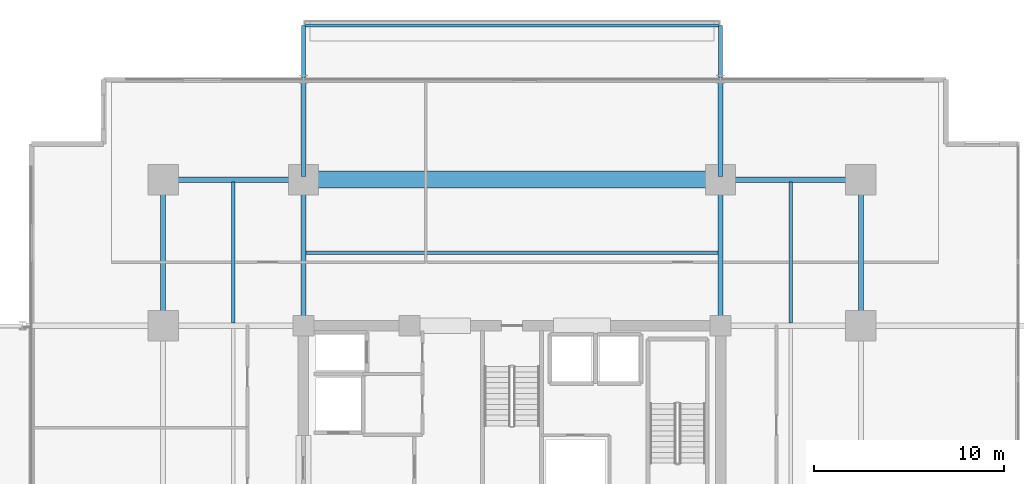
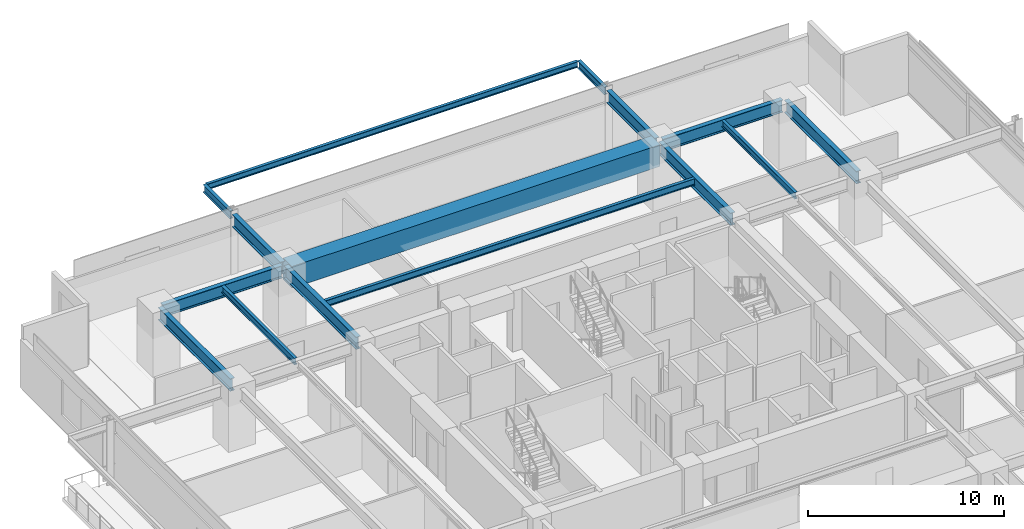
# One storey, part 10 of 20: 15 beams.
"""IFC4 building model written with IfcOpenShell, lengths in metres."""

from ifc_helpers import new_model, si_unit, direction, frame, origin, origin_2d, place, context, subcontext, project, spatial, rectangle, i_section, extrude, material, material_profile, profile_set, type_object, element, save


model = new_model("IFC4")

# Units and contexts
model_context = context("Model", 3, precision=1e-05, world=origin(), true_north=direction((0.0, 1.0)))
body_context = subcontext(model_context, "Body", "Model", "MODEL_VIEW")
ifc_project = project(units=[si_unit("LENGTHUNIT", "METRE"), si_unit("AREAUNIT", "SQUARE_METRE"), si_unit("VOLUMEUNIT", "CUBIC_METRE"), si_unit("PLANEANGLEUNIT", "RADIAN"), si_unit("MASSUNIT", "GRAM", prefix="KILO")], contexts=[model_context])

# Site, building, storey
site_placement = place(None, origin())
site = spatial("IfcSite", under=ifc_project, at=site_placement, CompositionType="ELEMENT")
building_placement = place(site_placement, origin())
building = spatial("IfcBuilding", under=site, at=building_placement, Name="Kovane Verandah Tower", CompositionType="ELEMENT")
storey_placement = place(building_placement, frame((0.0, 0.0, 164.39990234375)))
storey = spatial("IfcBuildingStorey", under=building, at=storey_placement, Name="L38", CompositionType="ELEMENT", Elevation=164.39990234375)

# Beams
ifc_material_1 = material(Name="Concrete C80/95", Category="concrete")
ifc_material_profile_1 = material_profile(ifc_material_1, rectangle(XDim=0.89990234375, YDim=1.35009765625, at=origin_2d()), Name="RCB900x1350")
ifc_profile_set_1 = profile_set([ifc_material_profile_1], Name="Concrete C80/95")
beam_type_1 = type_object("IfcBeamType", Name="BM-TR-900x1350", PredefinedType="BEAM", material=ifc_profile_set_1)
beam_1_placement = place(storey_placement, frame((29.179931640625, 44.199951171875, 3.10009765625), z_axis=(1.0, 0.0, 0.0), x_axis=(0.0, 1.0, 0.0)))
element("IfcBeam", 1, at=beam_1_placement, inside=storey, type_object=beam_type_1, Name="L38 Primary Tower Girder G-RN2", PredefinedType="BEAM", context=body_context, shape_type="SweptSolid", body=[
    extrude(rectangle(XDim=0.89990234375, YDim=1.35009765625, at=origin_2d()), origin(), (0.0, 0.0, 1.0), 21.64013671875),
])
ifc_material_2 = material(Name="Steel S355", Category="steel")
ifc_material_profile_2 = material_profile(ifc_material_2, i_section(OverallWidth=0.26806640625, OverallDepth=0.769775390625, WebThickness=0.015625, FlangeThickness=0.025390625, FilletRadius=0.0166015625, at=origin_2d()), Name="UB762x267x197")
ifc_profile_set_2 = profile_set([ifc_material_profile_2], Name="Steel S355")
beam_type_2 = type_object("IfcBeamType", Name="BM-UB762x197", PredefinedType="BEAM", material=ifc_profile_set_2)
for number, where, z_axis, x_axis, name in (
    (2, (21.780029296875, 44.199951171875, 3.39013671875), (1.0, 0.0, 0.0), (0.0, 1.0, 0.0), "L38 Primary Tower Girder G-RN1"),
    (3, (51.179931640625, 44.199951171875, 3.39013671875), (1.0, 0.0, 0.0), (0.0, 1.0, 0.0), "L38 Primary Tower Girder G-RN3"),
):
    element("IfcBeam", number, at=place(storey_placement, frame(where, z_axis=z_axis, x_axis=x_axis)), inside=storey, type_object=beam_type_2, Name=name, PredefinedType="BEAM", context=body_context, shape_type="SweptSolid", body=[
        extrude(i_section(OverallWidth=0.26806640625, OverallDepth=0.769775390625, WebThickness=0.015625, FlangeThickness=0.025390625, FilletRadius=0.0166015625, at=origin_2d()), origin(), (0.0, 0.0, 1.0), 7.0400390625),
    ])
for number, where, z_axis, x_axis, name in (
    (4, (21.60009765625, 36.679931640625, 3.39013671875), (0.0, 1.0, 0.0), (-1.0, 0.0, 0.0), "L38 Primary Tower Girder G-RW3"),
    (5, (58.39990234375, 36.679931640625, 3.39013671875), (0.0, 1.0, 0.0), (-1.0, 0.0, 0.0), "L38 Primary Tower Girder G-RE3"),
    (6, (29.0, 36.679931640625, 3.39013671875), (0.0, 1.0, 0.0), (-1.0, 0.0, 0.0), "L38 Primary Tower Girder G-N1"),
    (7, (51.0, 36.679931640625, 3.39013671875), (0.0, 1.0, 0.0), (-1.0, 0.0, 0.0), "L38 Primary Tower Girder G-N2"),
):
    element("IfcBeam", number, at=place(storey_placement, frame(where, z_axis=z_axis, x_axis=x_axis)), inside=storey, type_object=beam_type_2, Name=name, PredefinedType="BEAM", context=body_context, shape_type="SweptSolid", body=[
        extrude(i_section(OverallWidth=0.26806640625, OverallDepth=0.769775390625, WebThickness=0.015625, FlangeThickness=0.025390625, FilletRadius=0.0166015625, at=origin_2d()), origin(), (0.0, 0.0, 1.0), 7.340087890625),
    ])
for number, where, z_axis, x_axis, name in (
    (8, (29.0, 44.3798828125, 3.375244140625), (0.0, 1.0, 0.0), (-1.0, 0.0, 0.0), "L38 Primary Tower Girder G-VN1"),
    (9, (51.0, 44.3798828125, 3.375244140625), (0.0, 1.0, 0.0), (-1.0, 0.0, 0.0), "L38 Primary Tower Girder G-VN2"),
):
    element("IfcBeam", number, at=place(storey_placement, frame(where, z_axis=z_axis, x_axis=x_axis)), inside=storey, type_object=beam_type_2, Name=name, PredefinedType="BEAM", context=body_context, shape_type="SweptSolid", body=[
        extrude(i_section(OverallWidth=0.26806640625, OverallDepth=0.769775390625, WebThickness=0.015625, FlangeThickness=0.025390625, FilletRadius=0.0166015625, at=origin_2d()), origin(), (0.0, 0.0, 1.0), 4.940185546875),
    ])
ifc_material_profile_3 = material_profile(ifc_material_2, i_section(OverallWidth=0.179443359375, OverallDepth=0.412841796875, WebThickness=0.009521484375, FlangeThickness=0.01611328125, FilletRadius=0.01025390625, at=origin_2d()), Name="UB406x178x74")
ifc_profile_set_3 = profile_set([ifc_material_profile_3], Name="Steel S355")
beam_type_3 = type_object("IfcBeamType", Name="JST-UB406x74", PredefinedType="JOIST", material=ifc_profile_set_3)
beam_2_placement = place(storey_placement, frame((29.132080078125, 40.35009765625, 3.568603515625), z_axis=(1.0, 0.0, 0.0), x_axis=(0.0, 1.0, 0.0)))
element("IfcBeam", 10, at=beam_2_placement, inside=storey, type_object=beam_type_3, Name="L38 Secondary Composite Joist J-N1", PredefinedType="JOIST", context=body_context, shape_type="SweptSolid", body=[
    extrude(i_section(OverallWidth=0.179443359375, OverallDepth=0.412841796875, WebThickness=0.009521484375, FlangeThickness=0.01611328125, FilletRadius=0.01025390625, at=origin_2d()), origin(), (0.0, 0.0, 1.0), 21.73583984375),
])
for number, where, z_axis, x_axis, name in (
    (11, (25.300048828125, 36.632080078125, 3.568603515625), (0.0, 1.0, 0.0), (-1.0, 0.0, 0.0), "L38 Secondary Composite Joist J-NW1"),
    (12, (54.699951171875, 36.632080078125, 3.568603515625), (0.0, 1.0, 0.0), (-1.0, 0.0, 0.0), "L38 Secondary Composite Joist J-NE1"),
):
    element("IfcBeam", number, at=place(storey_placement, frame(where, z_axis=z_axis, x_axis=x_axis)), inside=storey, type_object=beam_type_3, Name=name, PredefinedType="JOIST", context=body_context, shape_type="SweptSolid", body=[
        extrude(i_section(OverallWidth=0.179443359375, OverallDepth=0.412841796875, WebThickness=0.009521484375, FlangeThickness=0.01611328125, FilletRadius=0.01025390625, at=origin_2d()), origin(), (0.0, 0.0, 1.0), 7.43603515625),
    ])
ifc_material_profile_4 = material_profile(ifc_material_2, i_section(OverallWidth=0.19287109375, OverallDepth=0.46728515625, WebThickness=0.011474609375, FlangeThickness=0.01953125, FilletRadius=0.01025390625, at=origin_2d()), Name="UB457x191x98")
ifc_profile_set_4 = profile_set([ifc_material_profile_4], Name="Steel S355")
beam_type_4 = type_object("IfcBeamType", Name="JST-UB457x98", PredefinedType="JOIST", material=ifc_profile_set_4)
for number, where, z_axis, x_axis, name in (
    (13, (29.0, 49.580078125, 3.526611328125), (0.0, 1.0, 0.0), (-1.0, 0.0, 0.0), "L38 North Planter Girder 1"),
    (14, (51.0, 49.580078125, 3.526611328125), (0.0, 1.0, 0.0), (-1.0, 0.0, 0.0), "L38 North Planter Girder 2"),
):
    element("IfcBeam", number, at=place(storey_placement, frame(where, z_axis=z_axis, x_axis=x_axis)), inside=storey, type_object=beam_type_4, Name=name, PredefinedType="JOIST", context=body_context, shape_type="SweptSolid", body=[
        extrude(i_section(OverallWidth=0.19287109375, OverallDepth=0.46728515625, WebThickness=0.011474609375, FlangeThickness=0.01953125, FilletRadius=0.01025390625, at=origin_2d()), origin(), (0.0, 0.0, 1.0), 2.752197265625),
    ])
ifc_material_profile_5 = material_profile(ifc_material_2, i_section(OverallWidth=0.173095703125, OverallDepth=0.36328125, WebThickness=0.009033203125, FlangeThickness=0.015625, FilletRadius=0.01025390625, at=origin_2d()), Name="UB356x171x67")
ifc_profile_set_5 = profile_set([ifc_material_profile_5], Name="Steel S355")
beam_type_5 = type_object("IfcBeamType", Name="SPD-UB356x67", PredefinedType="USERDEFINED", material=ifc_profile_set_5)
beam_3_placement = place(storey_placement, frame((29.094482421875, 52.332275390625, 3.578369140625), z_axis=(1.0, 0.0, 0.0), x_axis=(0.0, 1.0, 0.0)))
element("IfcBeam", 15, at=beam_3_placement, inside=storey, type_object=beam_type_5, Name="L38 North Planter Edge Spandrel", ObjectType="SPANDREL", PredefinedType="USERDEFINED", context=body_context, shape_type="SweptSolid", body=[
    extrude(i_section(OverallWidth=0.173095703125, OverallDepth=0.36328125, WebThickness=0.009033203125, FlangeThickness=0.015625, FilletRadius=0.01025390625, at=origin_2d()), origin(), (0.0, 0.0, 1.0), 21.81103515625),
])

save(model, "model.ifc")
